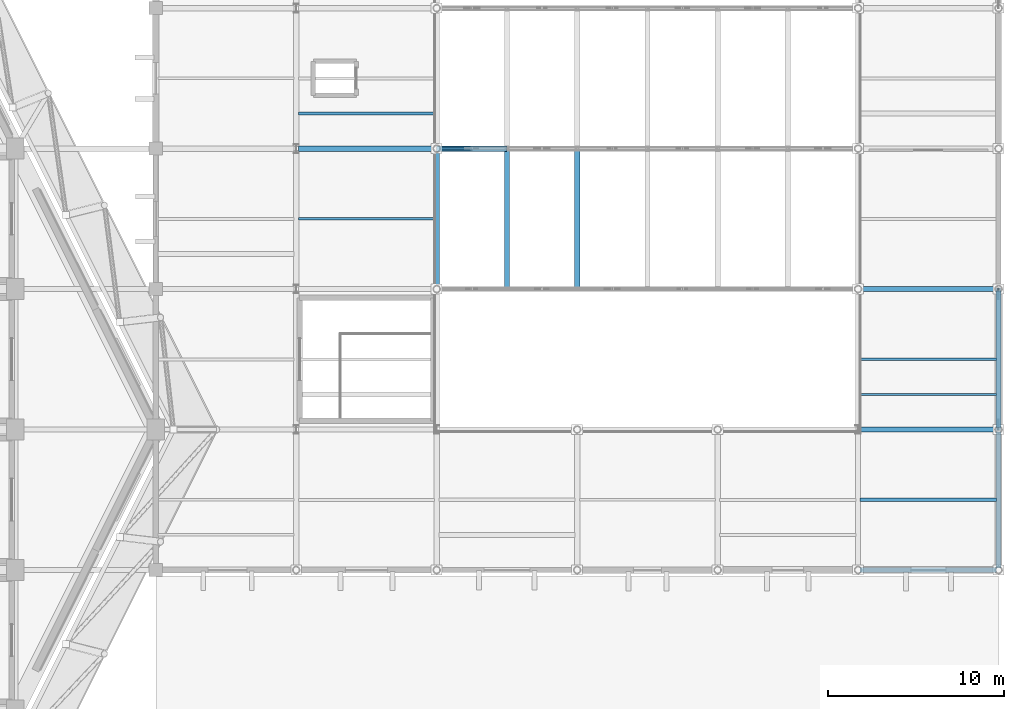
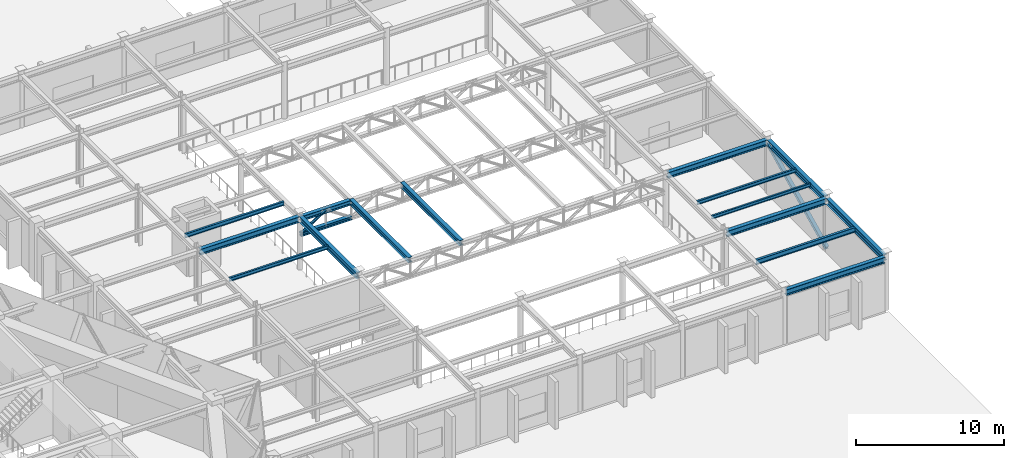
# One storey, part 14 of 46: 14 beams, 4 members.
"""IFC4 building model written with IfcOpenShell, lengths in metres."""

from ifc_helpers import new_model, si_unit, direction, frame, origin, origin_2d, place, context, subcontext, project, spatial, hollow_circle, i_section, extrude, material, material_profile, profile_set, type_object, element, save


model = new_model("IFC4")

# Units and contexts
model_context = context("Model", 3, precision=1e-05, world=origin(), true_north=direction((0.0, 1.0)))
body_context = subcontext(model_context, "Body", "Model", "MODEL_VIEW")
ifc_project = project(units=[si_unit("LENGTHUNIT", "METRE"), si_unit("AREAUNIT", "SQUARE_METRE"), si_unit("VOLUMEUNIT", "CUBIC_METRE"), si_unit("PLANEANGLEUNIT", "RADIAN"), si_unit("MASSUNIT", "GRAM", prefix="KILO")], contexts=[model_context])

# Site, building, storey
site_placement = place(None, origin())
site = spatial("IfcSite", under=ifc_project, at=site_placement, CompositionType="ELEMENT")
building_placement = place(site_placement, origin())
building = spatial("IfcBuilding", under=site, at=building_placement, Name="Tazarka Park Arena", CompositionType="ELEMENT")
storey_placement = place(building_placement, frame((0.0, 0.0, 10.199951171875)))
storey = spatial("IfcBuildingStorey", under=building, at=storey_placement, Name="L02", CompositionType="ELEMENT", Elevation=10.199951171875)

# Beams
ifc_material_1 = material(Name="Steel S355", Category="steel")
ifc_material_profile_1 = material_profile(ifc_material_1, i_section(OverallWidth=0.300048828125, OverallDepth=0.489990234375, WebThickness=0.011962890625, FlangeThickness=0.02294921875, FilletRadius=0.027099609375, at=origin_2d()), Name="Steel S355")
ifc_profile_set_1 = profile_set([ifc_material_profile_1], Name="Steel S355")
beam_type_1 = type_object("IfcBeamType", Name="BM-B-06", PredefinedType="BEAM", material=ifc_profile_set_1)
for number, where, z_axis, x_axis, name in (
    (1, (144.1201171875, 80.0, 4.175048828125), (1.0, 0.0, 0.0), (0.0, 1.0, 0.0), "GXM-L02-18-10"),
    (2, (176.1201171875, 64.0, 4.175048828125), (1.0, 0.0, 0.0), (0.0, 1.0, 0.0), "GXM-L02-22-08"),
    (3, (176.1201171875, 72.0, 4.175048828125), (1.0, 0.0, 0.0), (0.0, 1.0, 0.0), "GXM-L02-22-09"),
):
    element("IfcBeam", number, at=place(storey_placement, frame(where, z_axis=z_axis, x_axis=x_axis)), inside=storey, type_object=beam_type_1, Name=name, PredefinedType="BEAM", context=body_context, shape_type="SweptSolid", body=[
        extrude(i_section(OverallWidth=0.300048828125, OverallDepth=0.489990234375, WebThickness=0.011962890625, FlangeThickness=0.02294921875, FilletRadius=0.027099609375, at=origin_2d()), origin(), (0.0, 0.0, 1.0), 7.759765625),
    ])
ifc_material_2 = material(Name="Steel S355", Category="steel")
ifc_material_profile_2 = material_profile(ifc_material_2, i_section(OverallWidth=0.300048828125, OverallDepth=0.43994140625, WebThickness=0.011474609375, FlangeThickness=0.02099609375, FilletRadius=0.027099609375, at=origin_2d()), Name="Steel S355")
ifc_profile_set_2 = profile_set([ifc_material_profile_2], Name="Steel S355")
beam_type_2 = type_object("IfcBeamType", Name="BM-B-16", PredefinedType="BEAM", material=ifc_profile_set_2)
for number, where, z_axis, x_axis, name in (
    (4, (156.0, 72.0, 4.16015625), (0.0, 1.0, 0.0), (-1.0, 0.0, 0.0), "WTPR-1-1"),
    (5, (160.0, 72.0, 4.16015625), (0.0, 1.0, 0.0), (-1.0, 0.0, 0.0), "WTPR-1-2"),
):
    element("IfcBeam", number, at=place(storey_placement, frame(where, z_axis=z_axis, x_axis=x_axis)), inside=storey, type_object=beam_type_2, Name=name, PredefinedType="BEAM", context=body_context, shape_type="SweptSolid", body=[
        extrude(i_section(OverallWidth=0.300048828125, OverallDepth=0.43994140625, WebThickness=0.011474609375, FlangeThickness=0.02099609375, FilletRadius=0.027099609375, at=origin_2d()), origin(), (0.0, 0.0, 1.0), 8.0),
    ])
ifc_material_3 = material(Name="Steel S355", Category="steel")
ifc_material_profile_3 = material_profile(ifc_material_3, i_section(OverallWidth=0.14990234375, OverallDepth=0.300048828125, WebThickness=0.007080078125, FlangeThickness=0.0107421875, FilletRadius=0.014892578125, at=origin_2d()), Name="Steel S355")
ifc_profile_set_3 = profile_set([ifc_material_profile_3], Name="Steel S355")
beam_type_3 = type_object("IfcBeamType", Name="BM-J-01", PredefinedType="JOIST", material=ifc_profile_set_3)
for number, where, z_axis, x_axis, name in (
    (6, (144.1201171875, 76.0, 4.27001953125), (1.0, 0.0, 0.0), (0.0, 1.0, 0.0), "JST-L02-18-09"),
    (7, (176.1201171875, 68.0, 4.27001953125), (1.0, 0.0, 0.0), (0.0, 1.0, 0.0), "JST-L02-22-08"),
):
    element("IfcBeam", number, at=place(storey_placement, frame(where, z_axis=z_axis, x_axis=x_axis)), inside=storey, type_object=beam_type_3, Name=name, PredefinedType="JOIST", context=body_context, shape_type="SweptSolid", body=[
        extrude(i_section(OverallWidth=0.14990234375, OverallDepth=0.300048828125, WebThickness=0.007080078125, FlangeThickness=0.0107421875, FilletRadius=0.014892578125, at=origin_2d()), origin(), (0.0, 0.0, 1.0), 7.759765625),
    ])
ifc_material_4 = material(Name="Steel S355", Category="steel")
ifc_material_profile_4 = material_profile(ifc_material_4, i_section(OverallWidth=0.179931640625, OverallDepth=0.39990234375, WebThickness=0.008544921875, FlangeThickness=0.013427734375, FilletRadius=0.02099609375, at=origin_2d()), Name="Steel S355")
ifc_profile_set_4 = profile_set([ifc_material_profile_4], Name="Steel S355")
beam_type_4 = type_object("IfcBeamType", Name="BM-J-03", PredefinedType="JOIST", material=ifc_profile_set_4)
beam_1_placement = place(storey_placement, frame((176.1201171875, 60.0, 4.219970703125), z_axis=(1.0, 0.0, 0.0), x_axis=(0.0, 1.0, 0.0)))
element("IfcBeam", 8, at=beam_1_placement, inside=storey, type_object=beam_type_4, Name="JST-L02-22-07", PredefinedType="JOIST", context=body_context, shape_type="SweptSolid", body=[
    extrude(i_section(OverallWidth=0.179931640625, OverallDepth=0.39990234375, WebThickness=0.008544921875, FlangeThickness=0.013427734375, FilletRadius=0.02099609375, at=origin_2d()), origin(), (0.0, 0.0, 1.0), 7.759765625),
])
ifc_material_5 = material(Name="Steel S355", Category="steel")
ifc_material_profile_5 = material_profile(ifc_material_5, i_section(OverallWidth=0.135009765625, OverallDepth=0.27001953125, WebThickness=0.006591796875, FlangeThickness=0.01025390625, FilletRadius=0.014892578125, at=origin_2d()), Name="Steel S355")
ifc_profile_set_5 = profile_set([ifc_material_profile_5], Name="Steel S355")
beam_type_5 = type_object("IfcBeamType", Name="BM-J-04", PredefinedType="JOIST", material=ifc_profile_set_5)
beam_2_placement = place(storey_placement, frame((176.1201171875, 66.0, 4.28515625), z_axis=(1.0, 0.0, 0.0), x_axis=(0.0, 1.0, 0.0)))
element("IfcBeam", 9, at=beam_2_placement, inside=storey, type_object=beam_type_5, Name="JST2-L02-22-08", PredefinedType="JOIST", context=body_context, shape_type="SweptSolid", body=[
    extrude(i_section(OverallWidth=0.135009765625, OverallDepth=0.27001953125, WebThickness=0.006591796875, FlangeThickness=0.01025390625, FilletRadius=0.014892578125, at=origin_2d()), origin(), (0.0, 0.0, 1.0), 7.759765625),
])
ifc_material_6 = material(Name="Steel S355", Category="steel")
ifc_material_profile_6 = material_profile(ifc_material_6, i_section(OverallWidth=0.159912109375, OverallDepth=0.330078125, WebThickness=0.007568359375, FlangeThickness=0.011474609375, FilletRadius=0.01806640625, at=origin_2d()), Name="Steel S355")
ifc_profile_set_6 = profile_set([ifc_material_profile_6], Name="Steel S355")
beam_type_6 = type_object("IfcBeamType", Name="BM-J-05", PredefinedType="JOIST", material=ifc_profile_set_6)
beam_3_placement = place(storey_placement, frame((144.1201171875, 82.0, 4.255126953125), z_axis=(1.0, 0.0, 0.0), x_axis=(0.0, 1.0, 0.0)))
element("IfcBeam", 10, at=beam_3_placement, inside=storey, type_object=beam_type_6, Name="JST2-L02-18-10", PredefinedType="JOIST", context=body_context, shape_type="SweptSolid", body=[
    extrude(i_section(OverallWidth=0.159912109375, OverallDepth=0.330078125, WebThickness=0.007568359375, FlangeThickness=0.011474609375, FilletRadius=0.01806640625, at=origin_2d()), origin(), (0.0, 0.0, 1.0), 7.759765625),
])
ifc_material_7 = material(Name="Steel S355", Category="steel")
ifc_material_profile_7 = material_profile(ifc_material_7, i_section(OverallWidth=0.300048828125, OverallDepth=0.489990234375, WebThickness=0.011962890625, FlangeThickness=0.02294921875, FilletRadius=0.027099609375, at=origin_2d()), Name="Steel S355")
ifc_profile_set_7 = profile_set([ifc_material_profile_7], Name="Steel S355")
beam_type_7 = type_object("IfcBeamType", Name="BM-SP-02", PredefinedType="SPANDREL", material=ifc_profile_set_7)
for number, where, z_axis, x_axis, name in (
    (11, (152.0, 72.1201171875, 4.175048828125), (0.0, 1.0, 0.0), (-1.0, 0.0, 0.0), "GYM-L02-19-09"),
    (12, (176.1201171875, 56.0, 4.175048828125), (1.0, 0.0, 0.0), (0.0, 1.0, 0.0), "GXM-L02-22-07"),
    (13, (184.0, 56.1201171875, 4.175048828125), (0.0, 1.0, 0.0), (-1.0, 0.0, 0.0), "GYM-L02-23-07"),
    (14, (184.0, 64.1201171875, 4.175048828125), (0.0, 1.0, 0.0), (-1.0, 0.0, 0.0), "GYM-L02-23-08"),
):
    element("IfcBeam", number, at=place(storey_placement, frame(where, z_axis=z_axis, x_axis=x_axis)), inside=storey, type_object=beam_type_7, Name=name, PredefinedType="SPANDREL", context=body_context, shape_type="SweptSolid", body=[
        extrude(i_section(OverallWidth=0.300048828125, OverallDepth=0.489990234375, WebThickness=0.011962890625, FlangeThickness=0.02294921875, FilletRadius=0.027099609375, at=origin_2d()), origin(), (0.0, 0.0, 1.0), 7.759765625),
    ])

# Members
ifc_material_8 = material(Name="Steel S355", Category="steel")
ifc_material_profile_8 = material_profile(ifc_material_8, hollow_circle(Radius=0.109619140625, WallThickness=0.010009765625, at=origin_2d()), Name="Steel S355")
ifc_profile_set_8 = profile_set([ifc_material_profile_8], Name="Steel S355")
member_type_1 = type_object("IfcMemberType", Name="MEM-BR-02", PredefinedType="BRACE", material=ifc_profile_set_8)
member_1_placement = place(storey_placement, frame((152.0, 80.0, 2.85009765625), z_axis=(0.836516005166, 0.0, 0.547942490688), x_axis=(0.0, 1.0, 0.0)))
element("IfcMember", 15, at=member_1_placement, inside=storey, type_object=member_type_1, Name="WTD-A-2-0", PredefinedType="BRACE", context=body_context, shape_type="SweptSolid", body=[
    extrude(hollow_circle(Radius=0.109619140625, WallThickness=0.010009765625, at=origin_2d()), origin(), (0.0, 0.0, 1.0), 2.390869140625),
])
ifc_material_9 = material(Name="Steel S355", Category="steel")
ifc_material_profile_9 = material_profile(ifc_material_9, i_section(OverallWidth=0.280029296875, OverallDepth=0.27001953125, WebThickness=0.008056640625, FlangeThickness=0.012939453125, FilletRadius=0.02392578125, at=origin_2d()), Name="Steel S355")
ifc_profile_set_9 = profile_set([ifc_material_profile_9], Name="Steel S355")
member_type_2 = type_object("IfcMemberType", Name="MEM-BR-06", PredefinedType="BRACE", material=ifc_profile_set_9)
member_2_placement = place(storey_placement, frame((184.0, 64.0, 0.199951171875), z_axis=(0.0, 0.900196772828, 0.435483375332), x_axis=(-1.0, 0.0, 0.0)))
element("IfcMember", 16, at=member_2_placement, inside=storey, type_object=member_type_2, Name="BRX-L02-02", PredefinedType="BRACE", context=body_context, shape_type="SweptSolid", body=[
    extrude(i_section(OverallWidth=0.280029296875, OverallDepth=0.27001953125, WebThickness=0.008056640625, FlangeThickness=0.012939453125, FilletRadius=0.02392578125, at=origin_2d()), origin(), (0.0, 0.0, 1.0), 8.886962890625),
])
ifc_material_10 = material(Name="Steel S355", Category="steel")
ifc_material_profile_10 = material_profile(ifc_material_10, i_section(OverallWidth=0.300048828125, OverallDepth=0.300048828125, WebThickness=0.010986328125, FlangeThickness=0.01904296875, FilletRadius=0.027099609375, at=origin_2d()), Name="Steel S355")
ifc_profile_set_10 = profile_set([ifc_material_profile_10], Name="Steel S355")
member_type_3 = type_object("IfcMemberType", Name="MEM-CH-01", PredefinedType="CHORD", material=ifc_profile_set_10)
member_3_placement = place(storey_placement, frame((152.0, 80.0, 2.85009765625), z_axis=(1.0, 0.0, 0.0), x_axis=(0.0, 1.0, 0.0)))
element("IfcMember", 17, at=member_3_placement, inside=storey, type_object=member_type_3, Name="WTC-B-2-0", PredefinedType="CHORD", context=body_context, shape_type="SweptSolid", body=[
    extrude(i_section(OverallWidth=0.300048828125, OverallDepth=0.300048828125, WebThickness=0.010986328125, FlangeThickness=0.01904296875, FilletRadius=0.027099609375, at=origin_2d()), origin(), (0.0, 0.0, 1.0), 4.0),
])
ifc_material_11 = material(Name="Steel S355", Category="steel")
ifc_material_profile_11 = material_profile(ifc_material_11, i_section(OverallWidth=0.300048828125, OverallDepth=0.39990234375, WebThickness=0.013427734375, FlangeThickness=0.02392578125, FilletRadius=0.027099609375, at=origin_2d()), Name="Steel S355")
ifc_profile_set_11 = profile_set([ifc_material_profile_11], Name="Steel S355")
member_type_4 = type_object("IfcMemberType", Name="MEM-CH-02", PredefinedType="CHORD", material=ifc_profile_set_11)
member_4_placement = place(storey_placement, frame((152.0, 80.0, 4.16015625), z_axis=(1.0, 0.0, 0.0), x_axis=(0.0, 1.0, 0.0)))
element("IfcMember", 18, at=member_4_placement, inside=storey, type_object=member_type_4, Name="WTC-T-2-0", PredefinedType="CHORD", context=body_context, shape_type="SweptSolid", body=[
    extrude(i_section(OverallWidth=0.300048828125, OverallDepth=0.39990234375, WebThickness=0.013427734375, FlangeThickness=0.02392578125, FilletRadius=0.027099609375, at=origin_2d()), origin(), (0.0, 0.0, 1.0), 4.0),
])

save(model, "model.ifc")
